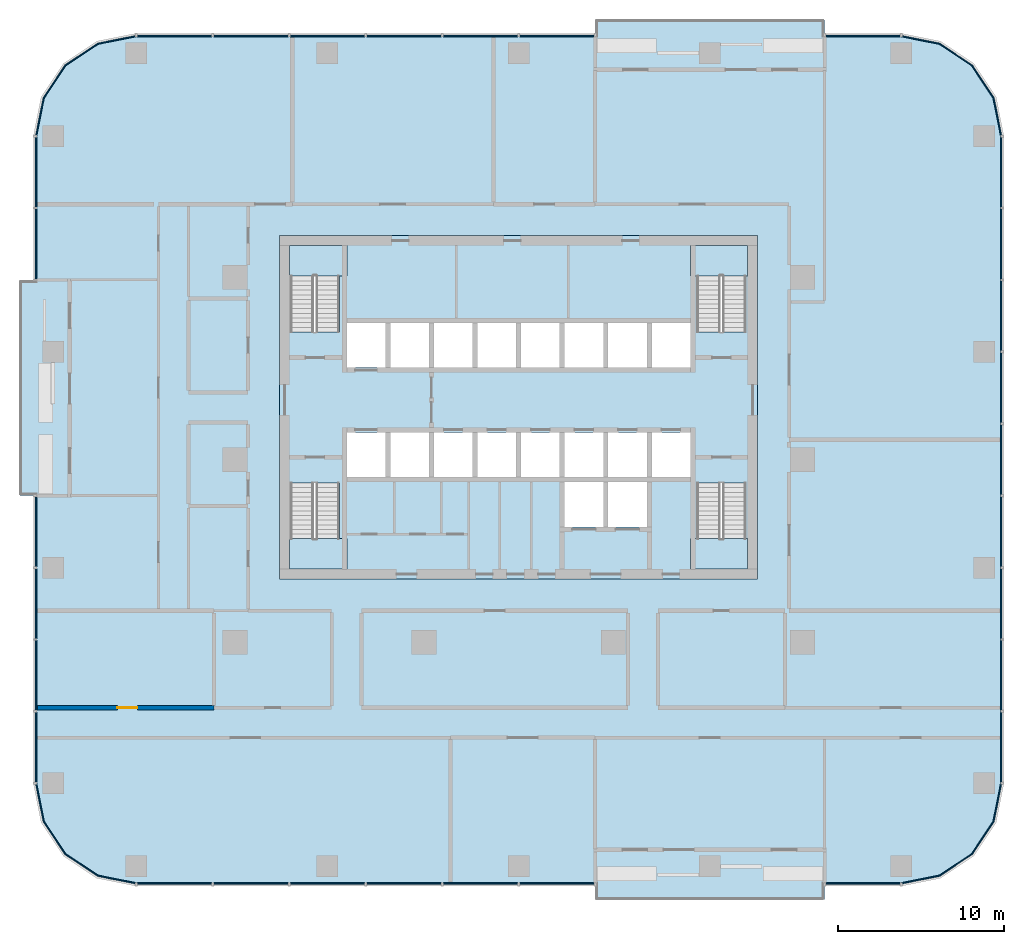
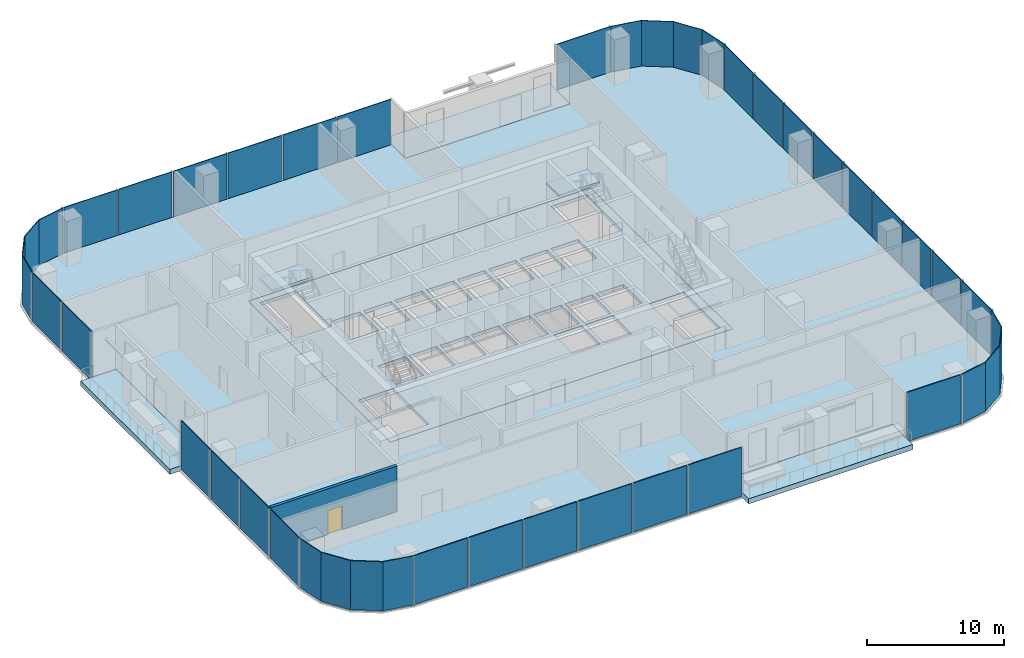
# One storey, part 6 of 15: 33 plates, 9 slabs, 1 door, 1 wall, 1 opening, 15 elements without a shape of their own.
"""IFC4 building model written with IfcOpenShell, lengths in metres."""

from ifc_helpers import new_model, si_unit, direction, frame, frame_2d, origin, origin_2d, place, context, subcontext, project, spatial, polyline, rectangle, outline, extrude, material, layer, layer_set, type_object, element, fill, aggregate, save


model = new_model("IFC4")

# Units and contexts
model_context = context("Model", 3, precision=1e-05, world=origin(), true_north=direction((0.0, 1.0)))
body_context = subcontext(model_context, "Body", "Model", "MODEL_VIEW")
ifc_project = project(units=[si_unit("LENGTHUNIT", "METRE"), si_unit("AREAUNIT", "SQUARE_METRE"), si_unit("VOLUMEUNIT", "CUBIC_METRE"), si_unit("PLANEANGLEUNIT", "RADIAN"), si_unit("MASSUNIT", "GRAM", prefix="KILO")], contexts=[model_context])

# Site, building, storey
site_placement = place(None, origin())
site = spatial("IfcSite", under=ifc_project, at=site_placement, CompositionType="ELEMENT")
building_placement = place(site_placement, origin())
building = spatial("IfcBuilding", under=site, at=building_placement, Name="Mopane Tessera Tower", CompositionType="ELEMENT")
storey_placement = place(building_placement, frame((0.0, 0.0, 112.60009765625)))
storey = spatial("IfcBuildingStorey", under=building, at=storey_placement, Name="L22", CompositionType="ELEMENT", Elevation=112.60009765625)

# Slab
ifc_material_1 = material(Name="Concrete C40/50", Category="concrete")
ifc_layer_1 = layer(ifc_material_1, 0.300048828125)
ifc_layer_set_1 = layer_set([ifc_layer_1], Name="Concrete C40/50")
slab_type_1 = type_object("IfcSlabType", Name="Core floor slab 300 mm", PredefinedType="FLOOR", material=ifc_layer_set_1)
slab_1_placement = place(storey_placement, frame((0.0, 0.0, -0.300048828125)))
element("IfcSlab", 1, at=slab_1_placement, inside=storey, type_object=slab_type_1, Name="L22 core floor slab", PredefinedType="FLOOR", context=body_context, shape_type="SweptSolid", body=[
    extrude(outline(polyline([(-14.39990234375, -7.199951171875), (14.39990234375, -7.199951171875), (14.39990234375, 13.5), (-14.39990234375, 13.5), (-14.39990234375, -7.199951171875)]), holes=[polyline([(-10.35009765625, -1.050048828125), (-8.02490234375, -1.050048828125), (-8.02490234375, 1.64990234375), (-10.35009765625, 1.64990234375), (-10.35009765625, -1.050048828125)]), polyline([(-7.72509765625, -1.050048828125), (-5.39990234375, -1.050048828125), (-5.39990234375, 1.64990234375), (-7.72509765625, 1.64990234375), (-7.72509765625, -1.050048828125)]), polyline([(-5.10009765625, -1.050048828125), (-2.77490234375, -1.050048828125), (-2.77490234375, 1.64990234375), (-5.10009765625, 1.64990234375), (-5.10009765625, -1.050048828125)]), polyline([(-2.47509765625, -1.050048828125), (-0.14990234375, -1.050048828125), (-0.14990234375, 1.64990234375), (-2.47509765625, 1.64990234375), (-2.47509765625, -1.050048828125)]), polyline([(0.14990234375, -1.050048828125), (2.47509765625, -1.050048828125), (2.47509765625, 1.64990234375), (0.14990234375, 1.64990234375), (0.14990234375, -1.050048828125)]), polyline([(2.77490234375, -1.050048828125), (5.10009765625, -1.050048828125), (5.10009765625, 1.64990234375), (2.77490234375, 1.64990234375), (2.77490234375, -1.050048828125)]), polyline([(5.39990234375, -1.050048828125), (7.72509765625, -1.050048828125), (7.72509765625, 1.64990234375), (5.39990234375, 1.64990234375), (5.39990234375, -1.050048828125)]), polyline([(8.02490234375, -1.050048828125), (10.35009765625, -1.050048828125), (10.35009765625, 1.64990234375), (8.02490234375, 1.64990234375), (8.02490234375, -1.050048828125)]), polyline([(-10.35009765625, 5.550048828125), (-8.02490234375, 5.550048828125), (-8.02490234375, 8.25), (-10.35009765625, 8.25), (-10.35009765625, 5.550048828125)]), polyline([(-7.72509765625, 5.550048828125), (-5.39990234375, 5.550048828125), (-5.39990234375, 8.25), (-7.72509765625, 8.25), (-7.72509765625, 5.550048828125)]), polyline([(-5.10009765625, 5.550048828125), (-2.77490234375, 5.550048828125), (-2.77490234375, 8.25), (-5.10009765625, 8.25), (-5.10009765625, 5.550048828125)]), polyline([(-2.47509765625, 5.550048828125), (-0.14990234375, 5.550048828125), (-0.14990234375, 8.25), (-2.47509765625, 8.25), (-2.47509765625, 5.550048828125)]), polyline([(0.14990234375, 5.550048828125), (2.47509765625, 5.550048828125), (2.47509765625, 8.25), (0.14990234375, 8.25), (0.14990234375, 5.550048828125)]), polyline([(2.77490234375, 5.550048828125), (5.10009765625, 5.550048828125), (5.10009765625, 8.25), (2.77490234375, 8.25), (2.77490234375, 5.550048828125)]), polyline([(5.39990234375, 5.550048828125), (7.72509765625, 5.550048828125), (7.72509765625, 8.25), (5.39990234375, 8.25), (5.39990234375, 5.550048828125)]), polyline([(8.02490234375, 5.550048828125), (10.35009765625, 5.550048828125), (10.35009765625, 8.25), (8.02490234375, 8.25), (8.02490234375, 5.550048828125)]), polyline([(2.77490234375, -4.050048828125), (5.10009765625, -4.050048828125), (5.10009765625, -1.35009765625), (2.77490234375, -1.35009765625), (2.77490234375, -4.050048828125)]), polyline([(5.39990234375, -4.050048828125), (7.72509765625, -4.050048828125), (7.72509765625, -1.35009765625), (5.39990234375, -1.35009765625), (5.39990234375, -4.050048828125)]), polyline([(-13.75, -1.405029296875), (-13.75, -6.60009765625), (-10.800048828125, -6.60009765625), (-10.800048828125, -1.405029296875), (-13.75, -1.405029296875)]), polyline([(-10.800048828125, 7.705078125), (-10.800048828125, 12.89990234375), (-13.75, 12.89990234375), (-13.75, 7.705078125), (-10.800048828125, 7.705078125)]), polyline([(10.75, -1.405029296875), (10.75, -6.60009765625), (13.699951171875, -6.60009765625), (13.699951171875, -1.405029296875), (10.75, -1.405029296875)]), polyline([(13.699951171875, 7.705078125), (13.699951171875, 12.89990234375), (10.75, 12.89990234375), (10.75, 7.705078125), (13.699951171875, 7.705078125)])]), origin(), (0.0, 0.0, 1.0), 0.300048828125),
])

# Stair, slab
ifc_material_2 = material(Name="Concrete C50/60", Category="concrete")
stair_type = type_object("IfcStairType", Name="Escape stair 1400 mm, riser 173 mm", PredefinedType="HALF_TURN_STAIR", material=ifc_material_2)
stair_1_placement = place(storey_placement, origin())
stair_1 = element("IfcStair", 2, at=stair_1_placement, inside=storey, type_object=stair_type, Name="L22 Escape stair south-west", PredefinedType="HALF_TURN_STAIR")
ifc_material_3 = material(Name="Concrete C50/60", Category="concrete")
ifc_layer_2 = layer(ifc_material_3, 0.199951171875)
ifc_layer_set_2 = layer_set([ifc_layer_2], Name="Concrete C50/60")
slab_type_2 = type_object("IfcSlabType", Name="Escape stair landing 200 mm", PredefinedType="LANDING", material=ifc_layer_set_2)
slab_2_placement = place(storey_placement, frame((0.0, 0.0, 2.0498046875)))
slab_2 = element("IfcSlab", 3, at=slab_2_placement, type_object=slab_type_2, Name="ST1 landing 1", PredefinedType="LANDING", context=body_context, shape_type="SweptSolid", body=[
    extrude(outline(polyline([(-13.800048828125, -4.760009765625), (-13.800048828125, -6.60009765625), (-10.35009765625, -6.60009765625), (-10.35009765625, -4.760009765625), (-13.800048828125, -4.760009765625)])), origin(), (0.0, 0.0, 1.0), 0.2001953125),
])
aggregate(stair_1, [slab_2])

stair_2_placement = place(storey_placement, origin())
stair_2 = element("IfcStair", 4, at=stair_2_placement, inside=storey, type_object=stair_type, Name="L22 Escape stair north-west", PredefinedType="HALF_TURN_STAIR")
slab_3_placement = place(storey_placement, frame((0.0, 0.0, 2.0498046875)))
slab_3 = element("IfcSlab", 5, at=slab_3_placement, type_object=slab_type_2, Name="ST2 landing 1", PredefinedType="LANDING", context=body_context, shape_type="SweptSolid", body=[
    extrude(outline(polyline([(-10.35009765625, 11.06005859375), (-10.35009765625, 12.89990234375), (-13.800048828125, 12.89990234375), (-13.800048828125, 11.06005859375), (-10.35009765625, 11.06005859375)])), origin(), (0.0, 0.0, 1.0), 0.2001953125),
])
aggregate(stair_2, [slab_3])

stair_3_placement = place(storey_placement, origin())
stair_3 = element("IfcStair", 6, at=stair_3_placement, inside=storey, type_object=stair_type, Name="L22 Escape stair south-east", PredefinedType="HALF_TURN_STAIR")
slab_4_placement = place(storey_placement, frame((0.0, 0.0, 2.0498046875)))
slab_4 = element("IfcSlab", 7, at=slab_4_placement, type_object=slab_type_2, Name="ST3 landing 1", PredefinedType="LANDING", context=body_context, shape_type="SweptSolid", body=[
    extrude(outline(polyline([(10.35009765625, -4.760009765625), (10.35009765625, -6.60009765625), (13.800048828125, -6.60009765625), (13.800048828125, -4.760009765625), (10.35009765625, -4.760009765625)])), origin(), (0.0, 0.0, 1.0), 0.2001953125),
])
aggregate(stair_3, [slab_4])

stair_4_placement = place(storey_placement, origin())
stair_4 = element("IfcStair", 8, at=stair_4_placement, inside=storey, type_object=stair_type, Name="L22 Escape stair north-east", PredefinedType="HALF_TURN_STAIR")
slab_5_placement = place(storey_placement, frame((0.0, 0.0, 2.0498046875)))
slab_5 = element("IfcSlab", 9, at=slab_5_placement, type_object=slab_type_2, Name="ST4 landing 1", PredefinedType="LANDING", context=body_context, shape_type="SweptSolid", body=[
    extrude(outline(polyline([(13.800048828125, 11.06005859375), (13.800048828125, 12.89990234375), (10.35009765625, 12.89990234375), (10.35009765625, 11.06005859375), (13.800048828125, 11.06005859375)])), origin(), (0.0, 0.0, 1.0), 0.2001953125),
])
aggregate(stair_4, [slab_5])

# Curtain wall, plates
ifc_material_4 = material(Name="Aluminium frame", Category="aluminium")
curtain_wall_type = type_object("IfcCurtainWallType", Name="Lower tower unitised wall", PredefinedType="NOTDEFINED", material=ifc_material_4)
curtain_wall_1_placement = place(storey_placement, origin())
curtain_wall_1 = element("IfcCurtainWall", 10, at=curtain_wall_1_placement, inside=storey, type_object=curtain_wall_type, Name="e:cw:L22:S:0", PredefinedType="NOTDEFINED")
ifc_material_5 = material(Name="Clear laminated glass", Category="glass")
ifc_layer_3 = layer(ifc_material_5, 0.070068359375)
ifc_layer_set_3 = layer_set([ifc_layer_3], Name="Clear laminated glass")
plate_type = type_object("IfcPlateType", Name="Laminated glazed unit 70", PredefinedType="CURTAIN_PANEL", material=ifc_layer_set_3)
plate_1_placement = place(storey_placement, frame((-20.7451171875, -25.534912109375, -0.31005859375), z_axis=(0.0, 0.0, 1.0), x_axis=(1.0, 0.0, 0.0)))
plate_1 = element("IfcPlate", 11, at=plate_1_placement, type_object=plate_type, Name="e:cw:L22:S:0:pn0", PredefinedType="CURTAIN_PANEL", context=body_context, shape_type="SweptSolid", body=[
    extrude(rectangle(XDim=4.5, YDim=0.070068359375, at=origin_2d()), origin(), (0.0, 0.0, 1.0), 4.360107421875),
])
plate_2_placement = place(storey_placement, frame((-16.135009765625, -25.534912109375, -0.31005859375), z_axis=(0.0, 0.0, 1.0), x_axis=(1.0, 0.0, 0.0)))
plate_2 = element("IfcPlate", 12, at=plate_2_placement, type_object=plate_type, Name="e:cw:L22:S:0:pn1", PredefinedType="CURTAIN_PANEL", context=body_context, shape_type="SweptSolid", body=[
    extrude(rectangle(XDim=4.5, YDim=0.070068359375, at=origin_2d()), origin(), (0.0, 0.0, 1.0), 4.360107421875),
])
plate_3_placement = place(storey_placement, frame((-11.52490234375, -25.534912109375, -0.31005859375), z_axis=(0.0, 0.0, 1.0), x_axis=(1.0, 0.0, 0.0)))
plate_3 = element("IfcPlate", 13, at=plate_3_placement, type_object=plate_type, Name="e:cw:L22:S:0:pn2", PredefinedType="CURTAIN_PANEL", context=body_context, shape_type="SweptSolid", body=[
    extrude(rectangle(XDim=4.5, YDim=0.070068359375, at=origin_2d()), origin(), (0.0, 0.0, 1.0), 4.360107421875),
])
plate_4_placement = place(storey_placement, frame((-6.9150390625, -25.534912109375, -0.31005859375), z_axis=(0.0, 0.0, 1.0), x_axis=(1.0, 0.0, 0.0)))
plate_4 = element("IfcPlate", 14, at=plate_4_placement, type_object=plate_type, Name="e:cw:L22:S:0:pn3", PredefinedType="CURTAIN_PANEL", context=body_context, shape_type="SweptSolid", body=[
    extrude(rectangle(XDim=4.5, YDim=0.070068359375, at=origin_2d()), origin(), (0.0, 0.0, 1.0), 4.360107421875),
])
plate_5_placement = place(storey_placement, frame((-2.304931640625, -25.534912109375, -0.31005859375), z_axis=(0.0, 0.0, 1.0), x_axis=(1.0, 0.0, 0.0)))
plate_5 = element("IfcPlate", 15, at=plate_5_placement, type_object=plate_type, Name="e:cw:L22:S:0:pn4", PredefinedType="CURTAIN_PANEL", context=body_context, shape_type="SweptSolid", body=[
    extrude(rectangle(XDim=4.5, YDim=0.070068359375, at=origin_2d()), origin(), (0.0, 0.0, 1.0), 4.360107421875),
])
plate_6_placement = place(storey_placement, frame((2.304931640625, -25.534912109375, -0.31005859375), z_axis=(0.0, 0.0, 1.0), x_axis=(1.0, 0.0, 0.0)))
plate_6 = element("IfcPlate", 16, at=plate_6_placement, type_object=plate_type, Name="e:cw:L22:S:0:pn5", PredefinedType="CURTAIN_PANEL", context=body_context, shape_type="SweptSolid", body=[
    extrude(rectangle(XDim=4.5, YDim=0.070068359375, at=origin_2d()), origin(), (0.0, 0.0, 1.0), 4.360107421875),
])
aggregate(curtain_wall_1, [plate_1, plate_2, plate_3, plate_4, plate_5, plate_6])

# Curtain wall, plate
curtain_wall_2_placement = place(storey_placement, origin())
curtain_wall_2 = element("IfcCurtainWall", 17, at=curtain_wall_2_placement, inside=storey, type_object=curtain_wall_type, Name="e:cw:L22:S:9", PredefinedType="NOTDEFINED")
plate_7_placement = place(storey_placement, frame((20.7451171875, -25.534912109375, -0.31005859375), z_axis=(0.0, 0.0, 1.0), x_axis=(1.0, 0.0, 0.0)))
plate_7 = element("IfcPlate", 18, at=plate_7_placement, type_object=plate_type, Name="e:cw:L22:S:9:pn9", PredefinedType="CURTAIN_PANEL", context=body_context, shape_type="SweptSolid", body=[
    extrude(rectangle(XDim=4.5, YDim=0.070068359375, at=origin_2d()), origin(), (0.0, 0.0, 1.0), 4.360107421875),
])
aggregate(curtain_wall_2, [plate_7])

curtain_wall_3_placement = place(storey_placement, origin())
curtain_wall_3 = element("IfcCurtainWall", 19, at=curtain_wall_3_placement, inside=storey, type_object=curtain_wall_type, Name="e:cw:L22:CS", PredefinedType="NOTDEFINED")
plate_8_placement = place(storey_placement, frame((0.0, 0.0, -0.31005859375)))
plate_8 = element("IfcPlate", 20, at=plate_8_placement, type_object=plate_type, Name="e:cw:L22:CS:pn", PredefinedType="CURTAIN_PANEL", context=body_context, shape_type="SweptSolid", body=[
    extrude(outline(polyline([(23.050048828125, -25.5), (25.34619140625, -25.043212890625), (27.292724609375, -23.74267578125), (28.59326171875, -21.796142578125), (29.050048828125, -19.5), (29.1201171875, -19.5), (28.657958984375, -21.822998046875), (27.342041015625, -23.792236328125), (25.372802734375, -25.10791015625), (23.050048828125, -25.570068359375), (23.050048828125, -25.5)])), origin(), (0.0, 0.0, 1.0), 4.35986328125),
])
aggregate(curtain_wall_3, [plate_8])

# Curtain wall, plates
curtain_wall_4_placement = place(storey_placement, origin())
curtain_wall_4 = element("IfcCurtainWall", 21, at=curtain_wall_4_placement, inside=storey, type_object=curtain_wall_type, Name="e:cw:L22:E:0", PredefinedType="NOTDEFINED")
plate_9_placement = place(storey_placement, frame((29.0849609375, -17.333251953125, -0.31005859375), z_axis=(0.0, 0.0, 1.0), x_axis=(0.0, 1.0, 0.0)))
plate_9 = element("IfcPlate", 22, at=plate_9_placement, type_object=plate_type, Name="e:cw:L22:E:0:pn0", PredefinedType="CURTAIN_PANEL", context=body_context, shape_type="SweptSolid", body=[
    extrude(rectangle(XDim=4.223388671875, YDim=0.070068359375, at=origin_2d()), origin(), (0.0, 0.0, 1.0), 4.360107421875),
])
plate_10_placement = place(storey_placement, frame((29.0849609375, -13.0, -0.31005859375), z_axis=(0.0, 0.0, 1.0), x_axis=(0.0, 1.0, 0.0)))
plate_10 = element("IfcPlate", 23, at=plate_10_placement, type_object=plate_type, Name="e:cw:L22:E:0:pn1", PredefinedType="CURTAIN_PANEL", context=body_context, shape_type="SweptSolid", body=[
    extrude(rectangle(XDim=4.223388671875, YDim=0.070068359375, at=origin_2d()), origin(), (0.0, 0.0, 1.0), 4.360107421875),
])
plate_11_placement = place(storey_placement, frame((29.0849609375, -8.666748046875, -0.31005859375), z_axis=(0.0, 0.0, 1.0), x_axis=(0.0, 1.0, 0.0)))
plate_11 = element("IfcPlate", 24, at=plate_11_placement, type_object=plate_type, Name="e:cw:L22:E:0:pn2", PredefinedType="CURTAIN_PANEL", context=body_context, shape_type="SweptSolid", body=[
    extrude(rectangle(XDim=4.223388671875, YDim=0.070068359375, at=origin_2d()), origin(), (0.0, 0.0, 1.0), 4.360107421875),
])
plate_12_placement = place(storey_placement, frame((29.0849609375, -4.333251953125, -0.31005859375), z_axis=(0.0, 0.0, 1.0), x_axis=(0.0, 1.0, 0.0)))
plate_12 = element("IfcPlate", 25, at=plate_12_placement, type_object=plate_type, Name="e:cw:L22:E:0:pn3", PredefinedType="CURTAIN_PANEL", context=body_context, shape_type="SweptSolid", body=[
    extrude(rectangle(XDim=4.223388671875, YDim=0.070068359375, at=origin_2d()), origin(), (0.0, 0.0, 1.0), 4.360107421875),
])
plate_13_placement = place(storey_placement, frame((29.0849609375, 0.0, -0.31005859375), z_axis=(0.0, 0.0, 1.0), x_axis=(0.0, 1.0, 0.0)))
plate_13 = element("IfcPlate", 26, at=plate_13_placement, type_object=plate_type, Name="e:cw:L22:E:0:pn4", PredefinedType="CURTAIN_PANEL", context=body_context, shape_type="SweptSolid", body=[
    extrude(rectangle(XDim=4.223388671875, YDim=0.070068359375, at=origin_2d()), origin(), (0.0, 0.0, 1.0), 4.360107421875),
])
plate_14_placement = place(storey_placement, frame((29.0849609375, 4.333251953125, -0.31005859375), z_axis=(0.0, 0.0, 1.0), x_axis=(0.0, 1.0, 0.0)))
plate_14 = element("IfcPlate", 27, at=plate_14_placement, type_object=plate_type, Name="e:cw:L22:E:0:pn5", PredefinedType="CURTAIN_PANEL", context=body_context, shape_type="SweptSolid", body=[
    extrude(rectangle(XDim=4.223388671875, YDim=0.070068359375, at=origin_2d()), origin(), (0.0, 0.0, 1.0), 4.360107421875),
])
plate_15_placement = place(storey_placement, frame((29.0849609375, 8.666748046875, -0.31005859375), z_axis=(0.0, 0.0, 1.0), x_axis=(0.0, 1.0, 0.0)))
plate_15 = element("IfcPlate", 28, at=plate_15_placement, type_object=plate_type, Name="e:cw:L22:E:0:pn6", PredefinedType="CURTAIN_PANEL", context=body_context, shape_type="SweptSolid", body=[
    extrude(rectangle(XDim=4.223388671875, YDim=0.070068359375, at=origin_2d()), origin(), (0.0, 0.0, 1.0), 4.360107421875),
])
plate_16_placement = place(storey_placement, frame((29.0849609375, 13.0, -0.31005859375), z_axis=(0.0, 0.0, 1.0), x_axis=(0.0, 1.0, 0.0)))
plate_16 = element("IfcPlate", 29, at=plate_16_placement, type_object=plate_type, Name="e:cw:L22:E:0:pn7", PredefinedType="CURTAIN_PANEL", context=body_context, shape_type="SweptSolid", body=[
    extrude(rectangle(XDim=4.223388671875, YDim=0.070068359375, at=origin_2d()), origin(), (0.0, 0.0, 1.0), 4.360107421875),
])
plate_17_placement = place(storey_placement, frame((29.0849609375, 17.333251953125, -0.31005859375), z_axis=(0.0, 0.0, 1.0), x_axis=(0.0, 1.0, 0.0)))
plate_17 = element("IfcPlate", 30, at=plate_17_placement, type_object=plate_type, Name="e:cw:L22:E:0:pn8", PredefinedType="CURTAIN_PANEL", context=body_context, shape_type="SweptSolid", body=[
    extrude(rectangle(XDim=4.223388671875, YDim=0.070068359375, at=origin_2d()), origin(), (0.0, 0.0, 1.0), 4.360107421875),
])
aggregate(curtain_wall_4, [plate_9, plate_10, plate_11, plate_12, plate_13, plate_14, plate_15, plate_16, plate_17])

# Curtain wall, plate
curtain_wall_5_placement = place(storey_placement, origin())
curtain_wall_5 = element("IfcCurtainWall", 31, at=curtain_wall_5_placement, inside=storey, type_object=curtain_wall_type, Name="e:cw:L22:CE", PredefinedType="NOTDEFINED")
plate_18_placement = place(storey_placement, frame((0.0, 0.0, -0.31005859375)))
plate_18 = element("IfcPlate", 32, at=plate_18_placement, type_object=plate_type, Name="e:cw:L22:CE:pn", PredefinedType="CURTAIN_PANEL", context=body_context, shape_type="SweptSolid", body=[
    extrude(outline(polyline([(29.050048828125, 19.5), (28.59326171875, 21.796142578125), (27.292724609375, 23.74267578125), (25.34619140625, 25.043212890625), (23.050048828125, 25.5), (23.050048828125, 25.570068359375), (25.372802734375, 25.10791015625), (27.342041015625, 23.792236328125), (28.657958984375, 21.822998046875), (29.1201171875, 19.5), (29.050048828125, 19.5)])), origin(), (0.0, 0.0, 1.0), 4.35986328125),
])
aggregate(curtain_wall_5, [plate_18])

curtain_wall_6_placement = place(storey_placement, origin())
curtain_wall_6 = element("IfcCurtainWall", 33, at=curtain_wall_6_placement, inside=storey, type_object=curtain_wall_type, Name="e:cw:L22:N:0", PredefinedType="NOTDEFINED")
plate_19_placement = place(storey_placement, frame((20.7451171875, 25.534912109375, -0.31005859375), z_axis=(0.0, 0.0, 1.0), x_axis=(-1.0, 0.0, 0.0)))
plate_19 = element("IfcPlate", 34, at=plate_19_placement, type_object=plate_type, Name="e:cw:L22:N:0:pn0", PredefinedType="CURTAIN_PANEL", context=body_context, shape_type="SweptSolid", body=[
    extrude(rectangle(XDim=4.5, YDim=0.070068359375, at=origin_2d()), origin(), (0.0, 0.0, 1.0), 4.360107421875),
])
aggregate(curtain_wall_6, [plate_19])

# Curtain wall, plates
curtain_wall_7_placement = place(storey_placement, origin())
curtain_wall_7 = element("IfcCurtainWall", 35, at=curtain_wall_7_placement, inside=storey, type_object=curtain_wall_type, Name="e:cw:L22:N:4", PredefinedType="NOTDEFINED")
plate_20_placement = place(storey_placement, frame((2.304931640625, 25.534912109375, -0.31005859375), z_axis=(0.0, 0.0, 1.0), x_axis=(-1.0, 0.0, 0.0)))
plate_20 = element("IfcPlate", 36, at=plate_20_placement, type_object=plate_type, Name="e:cw:L22:N:4:pn4", PredefinedType="CURTAIN_PANEL", context=body_context, shape_type="SweptSolid", body=[
    extrude(rectangle(XDim=4.5, YDim=0.070068359375, at=origin_2d()), origin(), (0.0, 0.0, 1.0), 4.360107421875),
])
plate_21_placement = place(storey_placement, frame((-2.304931640625, 25.534912109375, -0.31005859375), z_axis=(0.0, 0.0, 1.0), x_axis=(-1.0, 0.0, 0.0)))
plate_21 = element("IfcPlate", 37, at=plate_21_placement, type_object=plate_type, Name="e:cw:L22:N:4:pn5", PredefinedType="CURTAIN_PANEL", context=body_context, shape_type="SweptSolid", body=[
    extrude(rectangle(XDim=4.5, YDim=0.070068359375, at=origin_2d()), origin(), (0.0, 0.0, 1.0), 4.360107421875),
])
plate_22_placement = place(storey_placement, frame((-6.9150390625, 25.534912109375, -0.31005859375), z_axis=(0.0, 0.0, 1.0), x_axis=(-1.0, 0.0, 0.0)))
plate_22 = element("IfcPlate", 38, at=plate_22_placement, type_object=plate_type, Name="e:cw:L22:N:4:pn6", PredefinedType="CURTAIN_PANEL", context=body_context, shape_type="SweptSolid", body=[
    extrude(rectangle(XDim=4.5, YDim=0.070068359375, at=origin_2d()), origin(), (0.0, 0.0, 1.0), 4.360107421875),
])
plate_23_placement = place(storey_placement, frame((-11.52490234375, 25.534912109375, -0.31005859375), z_axis=(0.0, 0.0, 1.0), x_axis=(-1.0, 0.0, 0.0)))
plate_23 = element("IfcPlate", 39, at=plate_23_placement, type_object=plate_type, Name="e:cw:L22:N:4:pn7", PredefinedType="CURTAIN_PANEL", context=body_context, shape_type="SweptSolid", body=[
    extrude(rectangle(XDim=4.5, YDim=0.070068359375, at=origin_2d()), origin(), (0.0, 0.0, 1.0), 4.360107421875),
])
plate_24_placement = place(storey_placement, frame((-16.135009765625, 25.534912109375, -0.31005859375), z_axis=(0.0, 0.0, 1.0), x_axis=(-1.0, 0.0, 0.0)))
plate_24 = element("IfcPlate", 40, at=plate_24_placement, type_object=plate_type, Name="e:cw:L22:N:4:pn8", PredefinedType="CURTAIN_PANEL", context=body_context, shape_type="SweptSolid", body=[
    extrude(rectangle(XDim=4.5, YDim=0.070068359375, at=origin_2d()), origin(), (0.0, 0.0, 1.0), 4.360107421875),
])
plate_25_placement = place(storey_placement, frame((-20.7451171875, 25.534912109375, -0.31005859375), z_axis=(0.0, 0.0, 1.0), x_axis=(-1.0, 0.0, 0.0)))
plate_25 = element("IfcPlate", 41, at=plate_25_placement, type_object=plate_type, Name="e:cw:L22:N:4:pn9", PredefinedType="CURTAIN_PANEL", context=body_context, shape_type="SweptSolid", body=[
    extrude(rectangle(XDim=4.5, YDim=0.070068359375, at=origin_2d()), origin(), (0.0, 0.0, 1.0), 4.360107421875),
])
aggregate(curtain_wall_7, [plate_20, plate_21, plate_22, plate_23, plate_24, plate_25])

# Curtain wall, plate
curtain_wall_8_placement = place(storey_placement, origin())
curtain_wall_8 = element("IfcCurtainWall", 42, at=curtain_wall_8_placement, inside=storey, type_object=curtain_wall_type, Name="e:cw:L22:CN", PredefinedType="NOTDEFINED")
plate_26_placement = place(storey_placement, frame((0.0, 0.0, -0.31005859375)))
plate_26 = element("IfcPlate", 43, at=plate_26_placement, type_object=plate_type, Name="e:cw:L22:CN:pn", PredefinedType="CURTAIN_PANEL", context=body_context, shape_type="SweptSolid", body=[
    extrude(outline(polyline([(-23.050048828125, 25.5), (-25.34619140625, 25.043212890625), (-27.292724609375, 23.74267578125), (-28.59326171875, 21.796142578125), (-29.050048828125, 19.5), (-29.1201171875, 19.5), (-28.657958984375, 21.822998046875), (-27.342041015625, 23.792236328125), (-25.372802734375, 25.10791015625), (-23.050048828125, 25.570068359375), (-23.050048828125, 25.5)])), origin(), (0.0, 0.0, 1.0), 4.35986328125),
])
aggregate(curtain_wall_8, [plate_26])

# Curtain wall, plates
curtain_wall_9_placement = place(storey_placement, origin())
curtain_wall_9 = element("IfcCurtainWall", 44, at=curtain_wall_9_placement, inside=storey, type_object=curtain_wall_type, Name="e:cw:L22:W:0", PredefinedType="NOTDEFINED")
plate_27_placement = place(storey_placement, frame((-29.0849609375, 17.333251953125, -0.31005859375), z_axis=(0.0, 0.0, 1.0), x_axis=(0.0, -1.0, 0.0)))
plate_27 = element("IfcPlate", 45, at=plate_27_placement, type_object=plate_type, Name="e:cw:L22:W:0:pn0", PredefinedType="CURTAIN_PANEL", context=body_context, shape_type="SweptSolid", body=[
    extrude(rectangle(XDim=4.223388671875, YDim=0.070068359375, at=origin_2d()), origin(), (0.0, 0.0, 1.0), 4.360107421875),
])
plate_28_placement = place(storey_placement, frame((-29.0849609375, 13.0, -0.31005859375), z_axis=(0.0, 0.0, 1.0), x_axis=(0.0, -1.0, 0.0)))
plate_28 = element("IfcPlate", 46, at=plate_28_placement, type_object=plate_type, Name="e:cw:L22:W:0:pn1", PredefinedType="CURTAIN_PANEL", context=body_context, shape_type="SweptSolid", body=[
    extrude(rectangle(XDim=4.223388671875, YDim=0.070068359375, at=origin_2d()), origin(), (0.0, 0.0, 1.0), 4.360107421875),
])
aggregate(curtain_wall_9, [plate_27, plate_28])

curtain_wall_10_placement = place(storey_placement, origin())
curtain_wall_10 = element("IfcCurtainWall", 47, at=curtain_wall_10_placement, inside=storey, type_object=curtain_wall_type, Name="e:cw:L22:W:5", PredefinedType="NOTDEFINED")
plate_29_placement = place(storey_placement, frame((-29.0849609375, -4.333251953125, -0.31005859375), z_axis=(0.0, 0.0, 1.0), x_axis=(0.0, -1.0, 0.0)))
plate_29 = element("IfcPlate", 48, at=plate_29_placement, type_object=plate_type, Name="e:cw:L22:W:5:pn5", PredefinedType="CURTAIN_PANEL", context=body_context, shape_type="SweptSolid", body=[
    extrude(rectangle(XDim=4.223388671875, YDim=0.070068359375, at=origin_2d()), origin(), (0.0, 0.0, 1.0), 4.360107421875),
])
plate_30_placement = place(storey_placement, frame((-29.0849609375, -8.666748046875, -0.31005859375), z_axis=(0.0, 0.0, 1.0), x_axis=(0.0, -1.0, 0.0)))
plate_30 = element("IfcPlate", 49, at=plate_30_placement, type_object=plate_type, Name="e:cw:L22:W:5:pn6", PredefinedType="CURTAIN_PANEL", context=body_context, shape_type="SweptSolid", body=[
    extrude(rectangle(XDim=4.223388671875, YDim=0.070068359375, at=origin_2d()), origin(), (0.0, 0.0, 1.0), 4.360107421875),
])
plate_31_placement = place(storey_placement, frame((-29.0849609375, -13.0, -0.31005859375), z_axis=(0.0, 0.0, 1.0), x_axis=(0.0, -1.0, 0.0)))
plate_31 = element("IfcPlate", 50, at=plate_31_placement, type_object=plate_type, Name="e:cw:L22:W:5:pn7", PredefinedType="CURTAIN_PANEL", context=body_context, shape_type="SweptSolid", body=[
    extrude(rectangle(XDim=4.223388671875, YDim=0.070068359375, at=origin_2d()), origin(), (0.0, 0.0, 1.0), 4.360107421875),
])
plate_32_placement = place(storey_placement, frame((-29.0849609375, -17.333251953125, -0.31005859375), z_axis=(0.0, 0.0, 1.0), x_axis=(0.0, -1.0, 0.0)))
plate_32 = element("IfcPlate", 51, at=plate_32_placement, type_object=plate_type, Name="e:cw:L22:W:5:pn8", PredefinedType="CURTAIN_PANEL", context=body_context, shape_type="SweptSolid", body=[
    extrude(rectangle(XDim=4.223388671875, YDim=0.070068359375, at=origin_2d()), origin(), (0.0, 0.0, 1.0), 4.360107421875),
])
aggregate(curtain_wall_10, [plate_29, plate_30, plate_31, plate_32])

# Curtain wall, plate
curtain_wall_11_placement = place(storey_placement, origin())
curtain_wall_11 = element("IfcCurtainWall", 52, at=curtain_wall_11_placement, inside=storey, type_object=curtain_wall_type, Name="e:cw:L22:CW", PredefinedType="NOTDEFINED")
plate_33_placement = place(storey_placement, frame((0.0, 0.0, -0.31005859375)))
plate_33 = element("IfcPlate", 53, at=plate_33_placement, type_object=plate_type, Name="e:cw:L22:CW:pn", PredefinedType="CURTAIN_PANEL", context=body_context, shape_type="SweptSolid", body=[
    extrude(outline(polyline([(-29.050048828125, -19.5), (-28.59326171875, -21.796142578125), (-27.292724609375, -23.74267578125), (-25.34619140625, -25.043212890625), (-23.050048828125, -25.5), (-23.050048828125, -25.570068359375), (-25.372802734375, -25.10791015625), (-27.342041015625, -23.792236328125), (-28.657958984375, -21.822998046875), (-29.1201171875, -19.5), (-29.050048828125, -19.5)])), origin(), (0.0, 0.0, 1.0), 4.35986328125),
])
aggregate(curtain_wall_11, [plate_33])

# Slabs
ifc_material_6 = material(Name="Concrete C40/50", Category="concrete")
ifc_layer_4 = layer(ifc_material_6, 0.449951171875)
ifc_layer_set_4 = layer_set([ifc_layer_4], Name="Concrete C40/50")
slab_type_3 = type_object("IfcSlabType", Name="Planted terrace slab 450 mm", PredefinedType="FLOOR", material=ifc_layer_set_4)
slab_6_placement = place(storey_placement, frame((0.0, 0.0, -0.4501953125)))
element("IfcSlab", 54, at=slab_6_placement, inside=storey, type_object=slab_type_3, Name="Terrace slab N1 L22", PredefinedType="FLOOR", context=body_context, shape_type="SweptSolid", body=[
    extrude(outline(polyline([(4.610107421875, 26.5), (4.610107421875, 23.5), (18.43994140625, 23.5), (18.43994140625, 26.5), (4.610107421875, 26.5)])), origin(), (0.0, 0.0, 1.0), 0.4501953125),
])
slab_7_placement = place(storey_placement, frame((0.0, 0.0, -0.4501953125)))
element("IfcSlab", 55, at=slab_7_placement, inside=storey, type_object=slab_type_3, Name="Terrace slab N2 L22", PredefinedType="FLOOR", context=body_context, shape_type="SweptSolid", body=[
    extrude(outline(polyline([(-30.050048828125, -2.166748046875), (-27.050048828125, -2.166748046875), (-27.050048828125, 10.833251953125), (-30.050048828125, 10.833251953125), (-30.050048828125, -2.166748046875)])), origin(), (0.0, 0.0, 1.0), 0.4501953125),
])
slab_8_placement = place(storey_placement, frame((0.0, 0.0, -0.4501953125)))
element("IfcSlab", 56, at=slab_8_placement, inside=storey, type_object=slab_type_3, Name="Terrace slab N3 L22", PredefinedType="FLOOR", context=body_context, shape_type="SweptSolid", body=[
    extrude(outline(polyline([(18.43994140625, -26.5), (18.43994140625, -23.5), (4.610107421875, -23.5), (4.610107421875, -26.5), (18.43994140625, -26.5)])), origin(), (0.0, 0.0, 1.0), 0.4501953125),
])
ifc_material_7 = material(Name="Concrete C40/50", Category="concrete")
ifc_layer_5 = layer(ifc_material_7, 0.449951171875)
ifc_layer_set_5 = layer_set([ifc_layer_5], Name="Concrete C40/50")
slab_type_4 = type_object("IfcSlabType", Name="Post-tensioned flat plate 450 mm", PredefinedType="FLOOR", material=ifc_layer_set_5)
slab_9_placement = place(storey_placement, frame((0.0, 0.0, -0.4501953125)))
element("IfcSlab", 57, at=slab_9_placement, inside=storey, type_object=slab_type_4, Name="Floor slab L22", PredefinedType="FLOOR", context=body_context, shape_type="SweptSolid", body=[
    extrude(outline(polyline([(-23.050048828125, -25.5), (4.610107421875, -25.5), (4.610107421875, -23.5), (18.43994140625, -23.5), (18.43994140625, -25.5), (23.050048828125, -25.5), (25.34619140625, -25.043212890625), (27.292724609375, -23.74267578125), (28.59326171875, -21.796142578125), (29.050048828125, -19.5), (29.050048828125, 19.5), (28.59326171875, 21.796142578125), (27.292724609375, 23.74267578125), (25.34619140625, 25.043212890625), (23.050048828125, 25.5), (18.43994140625, 25.5), (18.43994140625, 23.5), (4.610107421875, 23.5), (4.610107421875, 25.5), (-23.050048828125, 25.5), (-25.34619140625, 25.043212890625), (-27.292724609375, 23.74267578125), (-28.59326171875, 21.796142578125), (-29.050048828125, 19.5), (-29.050048828125, 10.833251953125), (-27.050048828125, 10.833251953125), (-27.050048828125, -2.166748046875), (-29.050048828125, -2.166748046875), (-29.050048828125, -19.5), (-28.59326171875, -21.796142578125), (-27.292724609375, -23.74267578125), (-25.34619140625, -25.043212890625), (-23.050048828125, -25.5)]), holes=[polyline([(14.39990234375, -7.199951171875), (-14.39990234375, -7.199951171875), (-14.39990234375, 13.5), (14.39990234375, 13.5), (14.39990234375, -7.199951171875)])]), origin(), (0.0, 0.0, 1.0), 0.4501953125),
])

# Wall, opening, door
ifc_material_8 = material(Name="Plastered concrete blockwork C20/25", Category="masonry")
ifc_layer_6 = layer(ifc_material_8, 0.25)
ifc_layer_set_6 = layer_set([ifc_layer_6], Name="Plastered concrete blockwork C20/25")
wall_type = type_object("IfcWallType", Name="Plastered blockwork wall 250, rated EI 120", PredefinedType="PARTITIONING", material=ifc_layer_set_6)
wall_placement = place(storey_placement, frame((-29.0, -14.949951171875, 0.0), z_axis=(0.0, 0.0, 1.0), x_axis=(1.0, 0.0, 0.0)))
wall = element("IfcWall", 58, at=wall_placement, inside=storey, type_object=wall_type, Name="Partition L22:005", PredefinedType="PARTITIONING", context=body_context, shape_type="SweptSolid", body=[
    extrude(rectangle(XDim=10.635009765625, YDim=0.25, at=frame_2d((5.3173828125, 0.0))), origin(), (0.0, 0.0, 1.0), 4.0498046875),
])
opening_placement = place(wall_placement, frame((4.8173828125, 0.0, 0.0)))
opening = element("IfcOpeningElement", 59, at=opening_placement, cuts=wall, Name="Opening L22-11", PredefinedType="OPENING", context=body_context, shape_type="SweptSolid", body=[
    extrude(rectangle(XDim=1.199951171875, YDim=2.10009765625, at=frame_2d((0.60009765625, 1.050048828125))), frame((0.0, 0.136962890625, 0.0), z_axis=(0.0, -1.0, 0.0), x_axis=(1.0, 0.0, 0.0)), (0.0, 0.0, 1.0), 0.27392578125),
])
ifc_material_9 = material(Name="Timber veneered steel-framed fire door", Category="steel")
door_type = type_object("IfcDoorType", Name="Fire door FD120 1200 x 2100", OperationType="SINGLE_SWING_LEFT", PredefinedType="DOOR", material=ifc_material_9)
door_placement = place(opening_placement, origin())
door = element("IfcDoor", 60, at=door_placement, inside=storey, type_object=door_type, Name="Door L22-11", ObjectType="D15B", OperationType="SINGLE_SWING_LEFT", OverallHeight=2.10009765625, OverallWidth=1.199951171875, PredefinedType="DOOR", context=body_context, shape_type="SweptSolid", body=[
    extrude(rectangle(XDim=1.199951171875, YDim=2.10009765625, at=frame_2d((0.60009765625, 1.050048828125))), frame((0.0, 0.02490234375, 0.0), z_axis=(0.0, -1.0, 0.0), x_axis=(1.0, 0.0, 0.0)), (0.0, 0.0, 1.0), 0.050048828125),
])
fill(opening, door)

save(model, "model.ifc")
